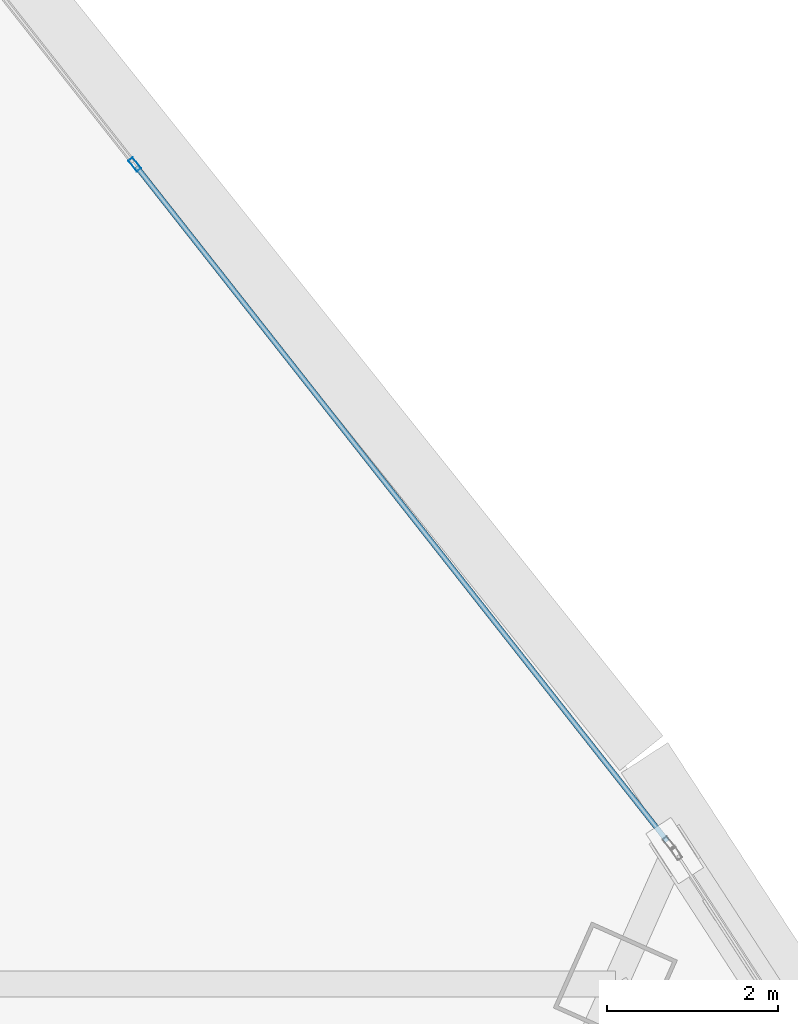
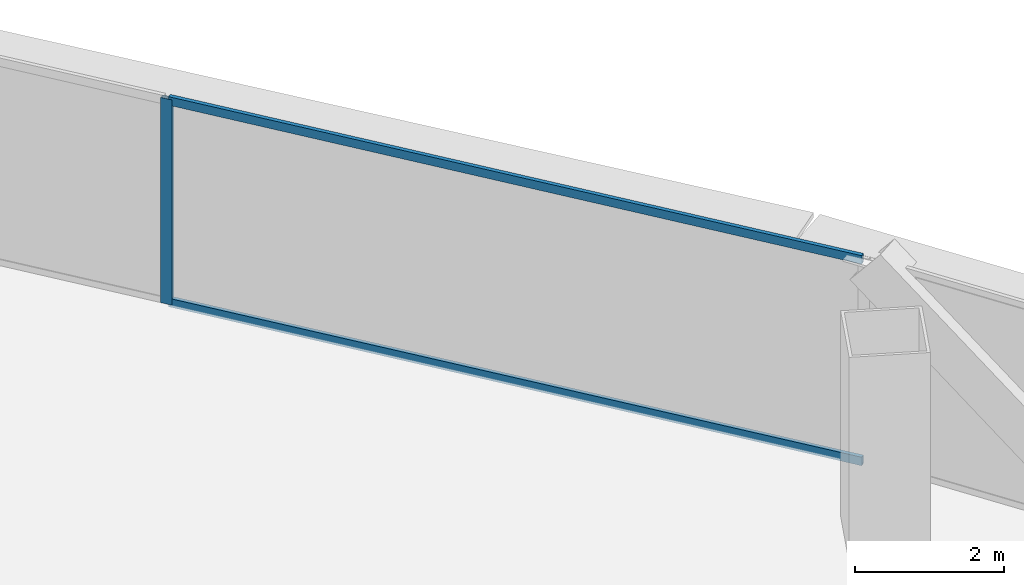
# One storey, part 28 of 42: 3 members, 1 element without a shape of its own.
"""IFC4 building model written with IfcOpenShell, lengths in metres."""

from ifc_helpers import new_model, si_unit, direction, frame, origin, origin_2d, place, context, subcontext, project, spatial, hollow_rectangle, extrude, source, transform, mapped, material, layer, layer_set, material_profile, profile_set, type_object, element, aggregate, save


model = new_model("IFC4")

# Units and contexts
model_context = context("Model", 3, precision=1e-05, world=origin(), true_north=direction((0.0, 1.0)))
body_context = subcontext(model_context, "Body", "Model", "MODEL_VIEW")
ifc_project = project(units=[si_unit("LENGTHUNIT", "METRE"), si_unit("AREAUNIT", "SQUARE_METRE"), si_unit("VOLUMEUNIT", "CUBIC_METRE"), si_unit("PLANEANGLEUNIT", "RADIAN"), si_unit("MASSUNIT", "GRAM", prefix="KILO"), si_unit("THERMODYNAMICTEMPERATUREUNIT", "KELVIN"), si_unit("POWERUNIT", "WATT")], contexts=[model_context])

# Site, building, storey
site_placement = place(None, origin())
site = spatial("IfcSite", under=ifc_project, at=site_placement, CompositionType="ELEMENT")
building_placement = place(site_placement, origin())
building = spatial("IfcBuilding", under=site, at=building_placement, Name="Yunzhuo Pagoda Commons", CompositionType="ELEMENT")
storey_placement = place(building_placement, frame((0.0, 0.0, 44.919921875)))
storey = spatial("IfcBuildingStorey", under=building, at=storey_placement, Name="L11", CompositionType="ELEMENT", Elevation=44.919921875)

# Curtain wall, members
ifc_material = material(Name="Anodized aluminium 6063-T6", Category="aluminium")
ifc_layer = layer(ifc_material, 0.1650390625)
ifc_layer_set = layer_set([ifc_layer], Name="Anodized aluminium 6063-T6")
curtain_wall_type = type_object("IfcCurtainWallType", Name="CW-LOW Low-Zone Ribbon Curtain Wall", PredefinedType="NOTDEFINED", material=ifc_layer_set)
curtain_wall_placement = place(storey_placement, origin())
curtain_wall = element("IfcCurtainWall", 1, at=curtain_wall_placement, inside=storey, type_object=curtain_wall_type, Name="L11 curtain wall CW-L11-F2B5", PredefinedType="NOTDEFINED")
ifc_material_profile_1 = material_profile(ifc_material, hollow_rectangle(XDim=0.06494140625, YDim=0.1650390625, WallThickness=0.00390625, at=origin_2d()), Name="Anodized aluminium 6063-T6")
ifc_profile_set_1 = profile_set([ifc_material_profile_1], Name="Anodized aluminium 6063-T6")
member_type_1 = type_object("IfcMemberType", Name="CW-LOW-M Mullion RHS 165x65x4", PredefinedType="MULLION", material=ifc_profile_set_1)
shared_shape_1 = source(origin(), body_context, "Body", "SweptSolid", [
    extrude(hollow_rectangle(XDim=0.06494140625, YDim=0.1650390625, WallThickness=0.00390625, at=origin_2d()), origin(), (0.0, 0.0, 1.0), 3.3701171875),
])
member_1_placement = place(storey_placement, frame((58.989013671875, 80.5966796875, 0.0), z_axis=(0.0, 0.0, 1.0), x_axis=(-0.785883026265, -0.61837518468, 0.0)))
member_1 = element("IfcMember", 2, at=member_1_placement, type_object=member_type_1, Name="CW mullion 2", PredefinedType="MULLION", context=body_context, shape_type="MappedRepresentation", body=[
    mapped(shared_shape_1, transform((0.0, 0.0, 0.0), scale=1.0)),
])
ifc_material_profile_2 = material_profile(ifc_material, hollow_rectangle(XDim=0.06005859375, YDim=0.139892578125, WallThickness=0.00341796875, at=origin_2d()), Name="Anodized aluminium 6063-T6")
ifc_profile_set_2 = profile_set([ifc_material_profile_2], Name="Anodized aluminium 6063-T6")
member_type_2 = type_object("IfcMemberType", Name="CW-LOW-T Transom RHS 140x60x3.5", PredefinedType="USERDEFINED", material=ifc_profile_set_2)
shared_shape_2 = source(origin(), body_context, "Body", "SweptSolid", [
    extrude(hollow_rectangle(XDim=0.06005859375, YDim=0.139892578125, WallThickness=0.00341796875, at=origin_2d()), origin(), (0.0, 0.0, 1.0), 10.042724609375),
])
member_2_placement = place(storey_placement, frame((65.218994140625, 72.6787109375, 0.030029296875), z_axis=(-0.618380762266, 0.785878637488, 0.0), x_axis=(-0.785878637488, -0.618380762266, 0.0)))
member_2 = element("IfcMember", 3, at=member_2_placement, type_object=member_type_2, Name="CW transom 1.1", ObjectType="TRANSOM", PredefinedType="USERDEFINED", context=body_context, shape_type="MappedRepresentation", body=[
    mapped(shared_shape_2, transform((0.0, 0.0, 0.0), scale=1.0)),
])
member_3_placement = place(storey_placement, frame((65.218994140625, 72.6787109375, 3.340087890625), z_axis=(-0.618380762266, 0.785878637488, 0.0), x_axis=(-0.785878637488, -0.618380762266, 0.0)))
member_3 = element("IfcMember", 4, at=member_3_placement, type_object=member_type_2, Name="CW transom 1.2", ObjectType="TRANSOM", PredefinedType="USERDEFINED", context=body_context, shape_type="MappedRepresentation", body=[
    mapped(shared_shape_2, transform((0.0, 0.0, 0.0), scale=1.0)),
])
aggregate(curtain_wall, [member_1, member_2, member_3])

save(model, "model.ifc")
